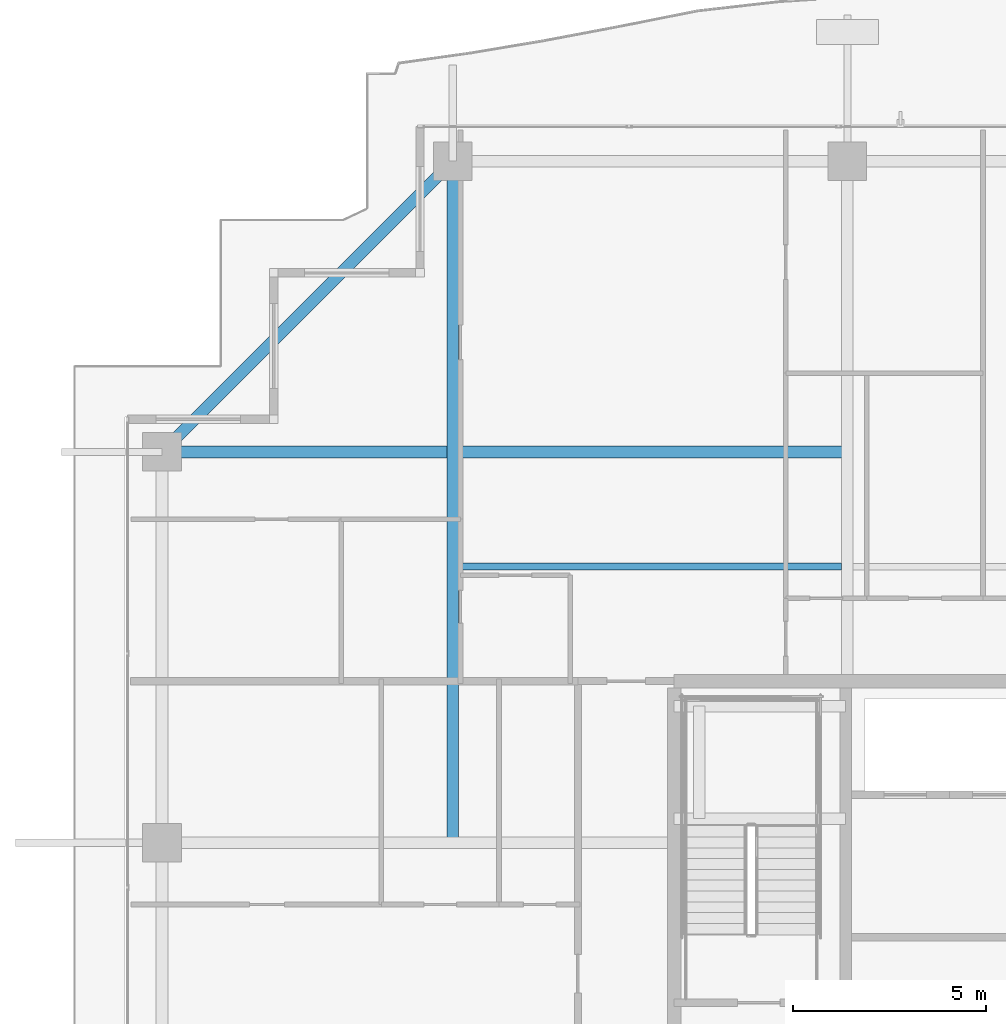
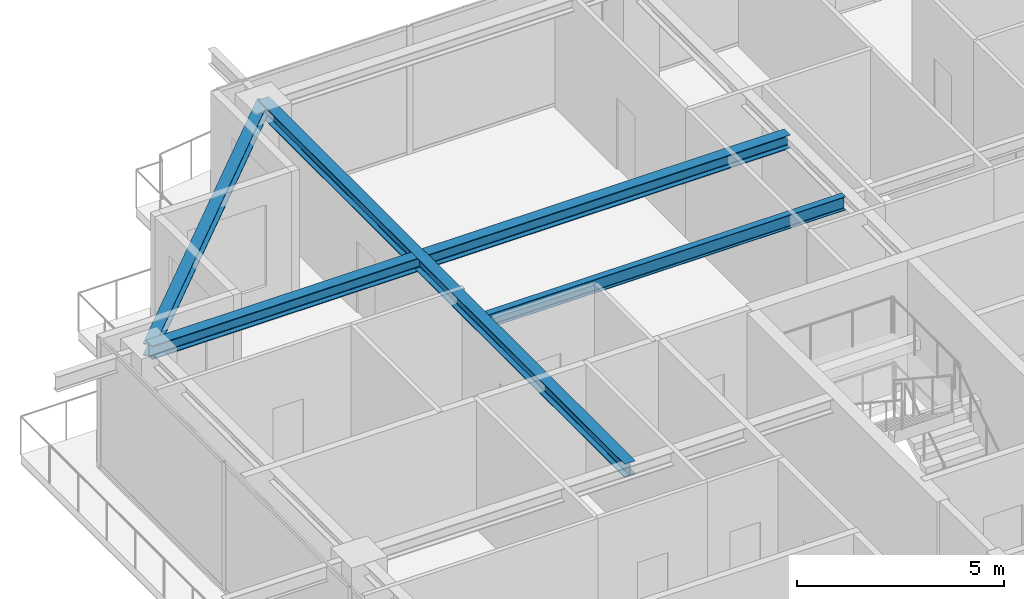
# One storey, part 20 of 40: 4 beams.
"""IFC4 building model written with IfcOpenShell, lengths in metres."""

import ifcopenshell
import ifcopenshell.guid

model = None  # the IFC model being written
_history = None  # IfcOwnerHistory: only IFC2X3 demands one
_inside = {}  # id of a spatial element -> (the spatial element, [elements in it])
_under = {}  # id of a project, library or spatial element -> (it, [spatial elements below it])
_declared = {}  # id of a project -> (the project, [libraries it declares])
_typed = {}  # id of a type object -> (the type object, [elements of that type])
_made_of = {}  # id of a material, layer set ... -> (it, [elements and type objects made of it])


def new_model(schema):
    """Start an empty IFC model of exactly this schema.

    Asked for "IFC4X3", IfcOpenShell would pick the latest addendum, in which some entities
    have other attributes; the version numbers below select the first issue.
    IFC2X3 requires an IfcOwnerHistory on every rooted entity: one is made here for all.
    """
    global model, _history
    if schema == "IFC4X3":
        model = ifcopenshell.file(schema_version=(4, 3, 0, 0))
    else:
        model = ifcopenshell.file(schema=schema)
    _inside.clear()
    _under.clear()
    _declared.clear()
    _typed.clear()
    _made_of.clear()
    _history = None
    if model.schema == "IFC2X3":
        org = make("IfcOrganization", Name="unknown")
        user = make(
            "IfcPersonAndOrganization",
            ThePerson=make("IfcPerson", FamilyName="unknown"),
            TheOrganization=org,
        )
        app = make(
            "IfcApplication",
            ApplicationDeveloper=org,
            Version="unknown",
            ApplicationFullName="unknown",
            ApplicationIdentifier="unknown",
        )
        _history = make(
            "IfcOwnerHistory",
            OwningUser=user,
            OwningApplication=app,
            ChangeAction="ADDED",
            CreationDate=0,
        )
    return model


def make(cls, **values):
    """One entity of the class cls with the attributes given. An attribute that is None is left unset."""
    return model.create_entity(
        cls, **{name: value for name, value in values.items() if value is not None}
    )


def rooted(cls, **values):
    """An entity with a GlobalId (a new one), such as an element, a storey or a relation."""
    return make(cls, GlobalId=ifcopenshell.guid.new(), OwnerHistory=_history, **values)


def si_unit(unit_type, name, prefix=None):
    """IfcSIUnit, for example si_unit("LENGTHUNIT", "METRE", prefix="MILLI")."""
    return make("IfcSIUnit", UnitType=unit_type, Prefix=prefix, Name=name)


def assignment(units):
    """IfcUnitAssignment: the units of a project."""
    return None if units is None else make("IfcUnitAssignment", Units=units)


def point(xyz):
    """IfcCartesianPoint."""
    return None if xyz is None else make("IfcCartesianPoint", Coordinates=xyz)


def direction(xyz):
    """IfcDirection."""
    return None if xyz is None else make("IfcDirection", DirectionRatios=xyz)


def frame(location, z_axis=None, x_axis=None):
    """IfcAxis2Placement3D, a coordinate frame: its origin and axes. An axis left out is left unset."""
    return make(
        "IfcAxis2Placement3D",
        Location=point(location),
        Axis=direction(z_axis),
        RefDirection=direction(x_axis),
    )


def frame_2d(location, x_axis=None):
    """IfcAxis2Placement2D, a coordinate frame in the plane: its origin and x axis."""
    return make(
        "IfcAxis2Placement2D", Location=point(location), RefDirection=direction(x_axis)
    )


def origin():
    """The frame at (0, 0, 0) with its axes left unset."""
    return frame((0.0, 0.0, 0.0))


def origin_2d():
    """The frame at (0, 0) in the plane with its x axis left unset."""
    return frame_2d((0.0, 0.0))


def place(relative_to, where):
    """IfcLocalPlacement: puts the frame where relative to a parent placement (None: the world)."""
    return make(
        "IfcLocalPlacement", PlacementRelTo=relative_to, RelativePlacement=where
    )


def context(
    kind, dimensions, precision=None, world=None, true_north=None, identifier=None
):
    """IfcGeometricRepresentationContext, for example the 3D "Model" context."""
    return make(
        "IfcGeometricRepresentationContext",
        ContextIdentifier=identifier,
        ContextType=kind,
        CoordinateSpaceDimension=dimensions,
        Precision=precision,
        WorldCoordinateSystem=world,
        TrueNorth=true_north,
    )


def subcontext(parent, identifier, kind, view, scale=None):
    """IfcGeometricRepresentationSubContext, for example "Body" below "Model"."""
    return make(
        "IfcGeometricRepresentationSubContext",
        ContextIdentifier=identifier,
        ContextType=kind,
        ParentContext=parent,
        TargetScale=scale,
        TargetView=view,
    )


def project(units=None, contexts=None):
    """IfcProject with its units and contexts."""
    return rooted(
        "IfcProject",
        Name="project",
        RepresentationContexts=contexts,
        UnitsInContext=assignment(units),
    )


def spatial(cls, under=None, at=None, **own):
    """A site, building, storey or space (cls), placed at a placement, below another one or the project."""
    s = rooted(cls, ObjectPlacement=at, **own)
    if under is not None:
        _under.setdefault(under.id(), (under, []))[1].append(s)
    return s


def profile(cls, at=None, kind="AREA", **sizes):
    """A parametric profile (cls). Its sizes go by their IFC names, for example OverallWidth=200.0."""
    return make(cls, ProfileType=kind, Position=at, **sizes)


def i_section(**sizes):
    """IfcIShapeProfileDef."""
    return profile("IfcIShapeProfileDef", **sizes)


def extrude(swept, where, along, depth):
    """IfcExtrudedAreaSolid: the profile swept, set in the frame where, extruded along a direction by depth."""
    return make(
        "IfcExtrudedAreaSolid",
        SweptArea=swept,
        Position=where,
        ExtrudedDirection=direction(along),
        Depth=depth,
    )


def shape(context_of_items, identifier, shape_type, items):
    """IfcShapeRepresentation: the items that make up one representation, for example the "Body"."""
    return make(
        "IfcShapeRepresentation",
        ContextOfItems=context_of_items,
        RepresentationIdentifier=identifier,
        RepresentationType=shape_type,
        Items=items,
    )


def source(mapping_origin, context_of_items, identifier, shape_type, items):
    """IfcRepresentationMap: a shape defined once, which mapped items show again and again."""
    return make(
        "IfcRepresentationMap",
        MappingOrigin=mapping_origin,
        MappedRepresentation=shape(context_of_items, identifier, shape_type, items),
    )


def transform(
    local_origin,
    x_axis=None,
    y_axis=None,
    z_axis=None,
    scale=None,
    scale2=None,
    scale3=None,
    uniform=True,
):
    """IfcCartesianTransformationOperator3D, or its non-uniform kind. x_axis, y_axis, z_axis: its Axis1, 2, 3."""
    if uniform:
        return make(
            "IfcCartesianTransformationOperator3D",
            Axis1=direction(x_axis),
            Axis2=direction(y_axis),
            LocalOrigin=point(local_origin),
            Scale=scale,
            Axis3=direction(z_axis),
        )
    return make(
        "IfcCartesianTransformationOperator3DnonUniform",
        Axis1=direction(x_axis),
        Axis2=direction(y_axis),
        LocalOrigin=point(local_origin),
        Scale=scale,
        Axis3=direction(z_axis),
        Scale2=scale2,
        Scale3=scale3,
    )


def mapped(mapping_source, mapping_target):
    """IfcMappedItem: shows the shape of a source again, moved by a transform."""
    return make(
        "IfcMappedItem", MappingSource=mapping_source, MappingTarget=mapping_target
    )


def material(Name=None, Category=None):
    """IfcMaterial."""
    return make("IfcMaterial", Name=Name, Category=Category)


def material_profile(
    of_material, cross_section, Name=None, Category=None, Priority=None
):
    """IfcMaterialProfile: a cross section and its material."""
    return make(
        "IfcMaterialProfile",
        Name=Name,
        Material=of_material,
        Profile=cross_section,
        Priority=Priority,
        Category=Category,
    )


def profile_set(profiles, Name=None, composite=None):
    """IfcMaterialProfileSet."""
    return make(
        "IfcMaterialProfileSet",
        Name=Name,
        MaterialProfiles=profiles,
        CompositeProfile=composite,
    )


def made_of(thing, what):
    """Note that an element or type object is made of a material, layer set ...; save() writes the relation."""
    if what is not None:
        _made_of.setdefault(what.id(), (what, []))[1].append(thing)
    return thing


def type_object(cls, material=None, **own):
    """A type object (cls), such as IfcWallType, which elements share."""
    return made_of(rooted(cls, **own), material)


def element(
    cls,
    number,
    at=None,
    inside=None,
    cuts=None,
    type_object=None,
    material=None,
    context=None,
    identifier="Body",
    shape_type=None,
    held_by="IfcProductDefinitionShape",
    body=None,
    shapes=None,
    **own,
):
    """One element of the class cls, such as IfcWall. Its Tag is "e" and its number.

    at: its placement. inside: the storey or other place that contains it. cuts: it is an
    opening in that element (IfcRelVoidsElement). A single representation is given by context,
    identifier, shape_type and body (its items); several are given by shapes. held_by: the class
    of the entity that holds the representations. save() writes the other relations.
    """
    e = rooted(cls, Tag="e%d" % number, ObjectPlacement=at, **own)
    if body is not None:
        shapes = [shape(context, identifier, shape_type, body)]
    if shapes is not None:
        e.Representation = make(held_by, Representations=shapes)
    if inside is not None:
        _inside.setdefault(inside.id(), (inside, []))[1].append(e)
    if cuts is not None:
        rooted(
            "IfcRelVoidsElement", RelatingBuildingElement=cuts, RelatedOpeningElement=e
        )
    if type_object is not None:
        _typed.setdefault(type_object.id(), (type_object, []))[1].append(e)
    return made_of(e, material)


def aggregate(whole, parts):
    """IfcRelAggregates: a whole, such as a stair, and the parts it consists of."""
    return rooted("IfcRelAggregates", RelatingObject=whole, RelatedObjects=parts)


def save(model, path):
    """Write the relations noted so far, then the file.

    IfcRelAggregates (storeys below a building ...), IfcRelContainedInSpatialStructure (elements
    in a storey), IfcRelDefinesByType, IfcRelAssociatesMaterial and IfcRelDeclares: one each for
    every whole, place, type object, material and project.
    """
    for whole, parts in _under.values():
        aggregate(whole, parts)
    for where, things in _inside.values():
        rooted(
            "IfcRelContainedInSpatialStructure",
            RelatedElements=things,
            RelatingStructure=where,
        )
    for kind, things in _typed.values():
        rooted("IfcRelDefinesByType", RelatedObjects=things, RelatingType=kind)
    for what, things in _made_of.values():
        rooted("IfcRelAssociatesMaterial", RelatedObjects=things, RelatingMaterial=what)
    for by, libraries in _declared.values():
        rooted("IfcRelDeclares", RelatingContext=by, RelatedDefinitions=libraries)
    model.write(path)


model = new_model("IFC4")

# Units and contexts
model_context = context("Model", 3, precision=1e-05, world=origin(), true_north=direction((0.0, 1.0)))
body_context = subcontext(model_context, "Body", "Model", "MODEL_VIEW")
ifc_project = project(units=[si_unit("LENGTHUNIT", "METRE"), si_unit("AREAUNIT", "SQUARE_METRE"), si_unit("VOLUMEUNIT", "CUBIC_METRE"), si_unit("PLANEANGLEUNIT", "RADIAN"), si_unit("MASSUNIT", "GRAM", prefix="KILO")], contexts=[model_context])

# Site, building, storey
site_placement = place(None, origin())
site = spatial("IfcSite", under=ifc_project, at=site_placement, CompositionType="ELEMENT")
building_placement = place(site_placement, origin())
building = spatial("IfcBuilding", under=site, at=building_placement, Name="Serunith Strait Residences", CompositionType="ELEMENT")
storey_placement = place(building_placement, frame((0.0, 0.0, 313.699951171875)))
storey = spatial("IfcBuildingStorey", under=building, at=storey_placement, Name="L78", CompositionType="ELEMENT", Elevation=313.699951171875)

# Beams
ifc_material = material(Name="Steel S355J2", Category="steel")
ifc_material_profile_1 = material_profile(ifc_material, i_section(OverallWidth=0.300048828125, OverallDepth=0.39990234375, WebThickness=0.013427734375, FlangeThickness=0.02392578125, FilletRadius=0.027099609375, at=origin_2d()), Name="HEB 400")
ifc_profile_set_1 = profile_set([ifc_material_profile_1], Name="Steel S355J2")
beam_type_1 = type_object("IfcBeamType", Name="BM-HEB400", PredefinedType="BEAM", material=ifc_profile_set_1)
shared_shape_1 = source(origin(), body_context, "Body", "SweptSolid", [
    extrude(i_section(OverallWidth=0.300048828125, OverallDepth=0.39990234375, WebThickness=0.013427734375, FlangeThickness=0.02392578125, FilletRadius=0.027099609375, at=origin_2d()), origin(), (0.0, 0.0, 1.0), 17.7001953125),
])
beam_1_placement = place(storey_placement, frame((17.64990234375, 29.39990234375, 3.587158203125), z_axis=(0.0, 1.0, 0.0), x_axis=(-1.0, 0.0, 0.0)))
element("IfcBeam", 1, at=beam_1_placement, inside=storey, type_object=beam_type_1, Name="L78 Orthogonal Corner Girder TC-N1", PredefinedType="BEAM", context=body_context, shape_type="MappedRepresentation", body=[
    mapped(shared_shape_1, transform((0.0, 0.0, 0.0), scale=1.0)),
])
shared_shape_2 = source(origin(), body_context, "Body", "SweptSolid", [
    extrude(i_section(OverallWidth=0.300048828125, OverallDepth=0.39990234375, WebThickness=0.013427734375, FlangeThickness=0.02392578125, FilletRadius=0.027099609375, at=origin_2d()), origin(), (0.0, 0.0, 1.0), 17.7998046875),
])
beam_2_placement = place(storey_placement, frame((27.89990234375, 39.550048828125, 3.587158203125), z_axis=(-1.0, 0.0, 0.0), x_axis=(0.0, -1.0, 0.0)))
element("IfcBeam", 2, at=beam_2_placement, inside=storey, type_object=beam_type_1, Name="L78 Orthogonal Corner Girder TC-W4", PredefinedType="BEAM", context=body_context, shape_type="MappedRepresentation", body=[
    mapped(shared_shape_2, transform((0.0, 0.0, 0.0), scale=1.0)),
])
ifc_material_profile_2 = material_profile(ifc_material, i_section(OverallWidth=0.300048828125, OverallDepth=0.360107421875, WebThickness=0.012451171875, FlangeThickness=0.0224609375, FilletRadius=0.027099609375, at=origin_2d()), Name="HEB 360")
ifc_profile_set_2 = profile_set([ifc_material_profile_2], Name="Steel S355J2")
beam_type_2 = type_object("IfcBeamType", Name="BM-HEB360", PredefinedType="BEAM", material=ifc_profile_set_2)
shared_shape_3 = source(origin(), body_context, "Body", "SweptSolid", [
    extrude(i_section(OverallWidth=0.300048828125, OverallDepth=0.360107421875, WebThickness=0.012451171875, FlangeThickness=0.0224609375, FilletRadius=0.027099609375, at=origin_2d()), origin(), (0.0, 0.0, 1.0), 10.67724609375),
])
beam_3_placement = place(storey_placement, frame((17.64990234375, 47.10009765625, 3.5771484375), z_axis=(-0.707095348302, -0.707118213887, 0.0), x_axis=(0.707118213887, -0.707095348302, 0.0)))
element("IfcBeam", 3, at=beam_3_placement, inside=storey, type_object=beam_type_2, Name="L78 Perimeter Ring Beam 12", PredefinedType="BEAM", context=body_context, shape_type="MappedRepresentation", body=[
    mapped(shared_shape_3, transform((0.0, 0.0, 0.0), scale=1.0)),
])
ifc_material_profile_3 = material_profile(ifc_material, i_section(OverallWidth=0.179931640625, OverallDepth=0.39990234375, WebThickness=0.008544921875, FlangeThickness=0.013427734375, FilletRadius=0.02099609375, at=origin_2d()), Name="IPE 400")
ifc_profile_set_3 = profile_set([ifc_material_profile_3], Name="Steel S355J2")
beam_type_3 = type_object("IfcBeamType", Name="BM-IPE400", PredefinedType="JOIST", material=ifc_profile_set_3)
shared_shape_4 = source(origin(), body_context, "Body", "SweptSolid", [
    extrude(i_section(OverallWidth=0.179931640625, OverallDepth=0.39990234375, WebThickness=0.008544921875, FlangeThickness=0.013427734375, FilletRadius=0.02099609375, at=origin_2d()), origin(), (0.0, 0.0, 1.0), 9.949951171875),
])
beam_4_placement = place(storey_placement, frame((17.800048828125, 36.574951171875, 3.587158203125), z_axis=(1.0, 0.0, 0.0), x_axis=(0.0, 1.0, 0.0)))
element("IfcBeam", 4, at=beam_4_placement, inside=storey, type_object=beam_type_3, Name="L78 Composite Floor Joist 04", PredefinedType="JOIST", context=body_context, shape_type="MappedRepresentation", body=[
    mapped(shared_shape_4, transform((0.0, 0.0, 0.0), scale=1.0)),
])

save(model, "model.ifc")
